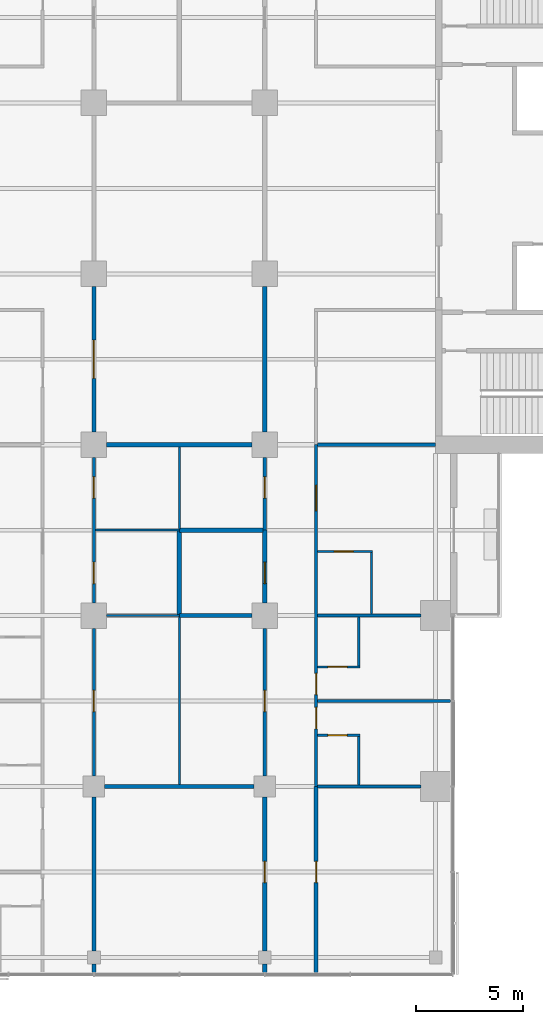
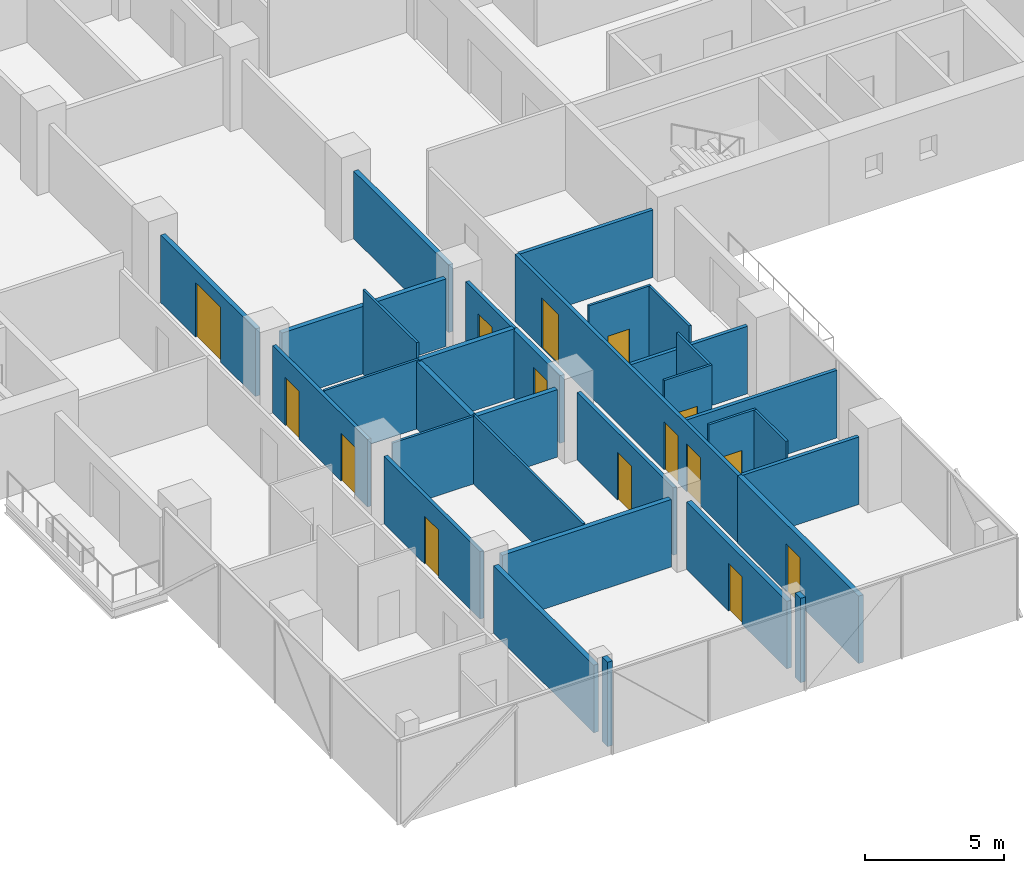
# One storey, part 16 of 27: 32 walls, 15 doors, 15 openings.
"""IFC4 building model written with IfcOpenShell, lengths in metres."""

from ifc_helpers import new_model, si_unit, direction, frame, frame_2d, origin, place, context, subcontext, project, spatial, rectangle, extrude, material, layer, layer_set, type_object, element, fill, save


model = new_model("IFC4")

# Units and contexts
model_context = context("Model", 3, precision=1e-05, world=origin(), true_north=direction((0.0, 1.0)))
body_context = subcontext(model_context, "Body", "Model", "MODEL_VIEW")
ifc_project = project(units=[si_unit("LENGTHUNIT", "METRE"), si_unit("AREAUNIT", "SQUARE_METRE"), si_unit("VOLUMEUNIT", "CUBIC_METRE"), si_unit("PLANEANGLEUNIT", "RADIAN"), si_unit("MASSUNIT", "GRAM", prefix="KILO")], contexts=[model_context])

# Site, building, storey
site_placement = place(None, origin())
site = spatial("IfcSite", under=ifc_project, at=site_placement, CompositionType="ELEMENT")
building_placement = place(site_placement, origin())
building = spatial("IfcBuilding", under=site, at=building_placement, Name="Crosswind Convention Tower", CompositionType="ELEMENT")
storey_placement = place(building_placement, frame((0.0, 0.0, 79.39990234375)))
storey = spatial("IfcBuildingStorey", under=building, at=storey_placement, Name="L14", CompositionType="ELEMENT", Elevation=79.39990234375)

# Walls
ifc_material_1 = material(Name="Concrete blockwork", Category="masonry")
ifc_layer_1 = layer(ifc_material_1, 0.199951171875)
ifc_layer_set_1 = layer_set([ifc_layer_1], Name="COMPARTMENT WALL 200")
wall_type_1 = type_object("IfcWallType", Name="COMPARTMENT WALL 200", PredefinedType="SOLIDWALL", material=ifc_layer_set_1)
wall_1_placement = place(storey_placement, frame((125.0, 80.0, 0.0), z_axis=(0.0, 0.0, 1.0), x_axis=(1.0, 0.0, 0.0)))
element("IfcWall", 1, at=wall_1_placement, inside=storey, type_object=wall_type_1, Name="Compartment Wall 12", PredefinedType="SOLIDWALL", context=body_context, shape_type="SweptSolid", body=[
    extrude(rectangle(XDim=3.39990234375, YDim=0.199951171875, at=frame_2d((1.699951171875, 0.0))), origin(), (0.0, 0.0, 1.0), 2.9599609375),
])
wall_2_placement = place(storey_placement, frame((125.0, 84.0, 0.0), z_axis=(0.0, 0.0, 1.0), x_axis=(1.0, 0.0, 0.0)))
element("IfcWall", 2, at=wall_2_placement, inside=storey, type_object=wall_type_1, Name="Compartment Wall 16", PredefinedType="SOLIDWALL", context=body_context, shape_type="SweptSolid", body=[
    extrude(rectangle(XDim=3.925048828125, YDim=0.199951171875, at=frame_2d((1.96240234375, 0.0))), origin(), (0.0, 0.0, 1.0), 3.013671875),
])
wall_3_placement = place(storey_placement, frame((125.0, 80.050048828125, 0.0), z_axis=(0.0, 0.0, 1.0), x_axis=(0.0, 1.0, 0.0)))
element("IfcWall", 3, at=wall_3_placement, inside=storey, type_object=wall_type_1, Name="Compartment Wall 91", PredefinedType="SOLIDWALL", context=body_context, shape_type="SweptSolid", body=[
    extrude(rectangle(XDim=3.89990234375, YDim=0.199951171875, at=frame_2d((1.949951171875, 0.0))), origin(), (0.0, 0.0, 1.0), 2.9599609375),
])

# Wall, opening, door
wall_4_placement = place(storey_placement, frame((129.0, 80.60009765625, 0.0), z_axis=(0.0, 0.0, 1.0), x_axis=(0.0, 1.0, 0.0)))
wall_4 = element("IfcWall", 4, at=wall_4_placement, inside=storey, type_object=wall_type_1, Name="Compartment Wall 99", PredefinedType="SOLIDWALL", context=body_context, shape_type="SweptSolid", body=[
    extrude(rectangle(XDim=3.39990234375, YDim=0.199951171875, at=frame_2d((1.699951171875, 0.0))), origin(), (0.0, 0.0, 1.0), 2.9599609375),
])
opening_1_placement = place(wall_4_placement, frame((0.89990234375, 0.0, 0.0)))
opening_1 = element("IfcOpeningElement", 5, at=opening_1_placement, cuts=wall_4, Name="Opening 14.053", PredefinedType="OPENING", context=body_context, shape_type="SweptSolid", body=[
    extrude(rectangle(XDim=1.0, YDim=2.199951171875, at=frame_2d((0.5, 1.10009765625))), frame((0.0, 0.10986328125, 0.0), z_axis=(0.0, -1.0, 0.0), x_axis=(1.0, 0.0, 0.0)), (0.0, 0.0, 1.0), 0.219970703125),
])
ifc_material_2 = material(Name="Steel fire door", Category="steel")
door_type_1 = type_object("IfcDoorType", Name="PLANT ROOM DOOR 1000X2200", OperationType="NOTDEFINED", PredefinedType="DOOR", material=ifc_material_2)
door_1_placement = place(opening_1_placement, origin())
door_1 = element("IfcDoor", 6, at=door_1_placement, inside=storey, type_object=door_type_1, Name="Door 14.053", ObjectType="D6", OperationType="SINGLE_SWING_LEFT", OverallHeight=2.199951171875, OverallWidth=1.0, PredefinedType="DOOR", context=body_context, shape_type="SweptSolid", body=[
    extrude(rectangle(XDim=1.0, YDim=2.199951171875, at=frame_2d((0.5, 1.10009765625))), frame((0.0, 0.02490234375, 0.0), z_axis=(0.0, -1.0, 0.0), x_axis=(1.0, 0.0, 0.0)), (0.0, 0.0, 1.0), 0.050048828125),
])
fill(opening_1, door_1)

ifc_material_3 = material(Name="Plasterboard partition", Category="gypsum")
ifc_layer_2 = layer(ifc_material_3, 0.14990234375)
ifc_layer_set_2 = layer_set([ifc_layer_2], Name="CORRIDOR WALL 150")
wall_type_2 = type_object("IfcWallType", Name="CORRIDOR WALL 150", PredefinedType="PARTITIONING", material=ifc_layer_set_2)
wall_5_placement = place(storey_placement, frame((121.0, 72.5, 0.0), z_axis=(0.0, 0.0, 1.0), x_axis=(0.0, 1.0, 0.0)))
wall_5 = element("IfcWall", 7, at=wall_5_placement, inside=storey, type_object=wall_type_2, Name="Corridor Wall 81", PredefinedType="PARTITIONING", context=body_context, shape_type="SweptSolid", body=[
    extrude(rectangle(XDim=6.89990234375, YDim=0.14990234375, at=frame_2d((3.449951171875, 0.0))), origin(), (0.0, 0.0, 1.0), 2.9599609375),
])
opening_2_placement = place(wall_5_placement, frame((3.0, 0.0, 0.0)))
opening_2 = element("IfcOpeningElement", 8, at=opening_2_placement, cuts=wall_5, Name="Opening 14.049", PredefinedType="OPENING", context=body_context, shape_type="SweptSolid", body=[
    extrude(rectangle(XDim=1.0, YDim=2.10009765625, at=frame_2d((0.5, 1.050048828125))), frame((0.0, 0.0849609375, 0.0), z_axis=(0.0, -1.0, 0.0), x_axis=(1.0, 0.0, 0.0)), (0.0, 0.0, 1.0), 0.169921875),
])
ifc_material_4 = material(Name="Timber fire door", Category="wood")
door_type_2 = type_object("IfcDoorType", Name="SERVICE ROOM DOOR 1000X2100", OperationType="NOTDEFINED", PredefinedType="DOOR", material=ifc_material_4)
door_2_placement = place(opening_2_placement, frame((1.0, 0.0, 0.0), z_axis=(0.0, 0.0, 1.0), x_axis=(-1.0, 0.0, 0.0)))
door_2 = element("IfcDoor", 9, at=door_2_placement, inside=storey, type_object=door_type_2, Name="Door 14.049", ObjectType="D3", OperationType="SINGLE_SWING_LEFT", OverallHeight=2.10009765625, OverallWidth=1.0, PredefinedType="DOOR", context=body_context, shape_type="SweptSolid", body=[
    extrude(rectangle(XDim=1.0, YDim=2.10009765625, at=frame_2d((0.5, 1.050048828125))), frame((0.0, 0.02490234375, 0.0), z_axis=(0.0, -1.0, 0.0), x_axis=(1.0, 0.0, 0.0)), (0.0, 0.0, 1.0), 0.050048828125),
])
fill(opening_2, door_2)

# Wall, openings, doors
wall_6_placement = place(storey_placement, frame((121.0, 80.60009765625, 0.0), z_axis=(0.0, 0.0, 1.0), x_axis=(0.0, 1.0, 0.0)))
wall_6 = element("IfcWall", 10, at=wall_6_placement, inside=storey, type_object=wall_type_2, Name="Corridor Wall 82", PredefinedType="PARTITIONING", context=body_context, shape_type="SweptSolid", body=[
    extrude(rectangle(XDim=6.7998046875, YDim=0.14990234375, at=frame_2d((3.39990234375, 0.0))), origin(), (0.0, 0.0, 1.0), 2.9599609375),
])
opening_3_placement = place(wall_6_placement, frame((0.89990234375, 0.0, 0.0)))
opening_3 = element("IfcOpeningElement", 11, at=opening_3_placement, cuts=wall_6, Name="Opening 14.051", PredefinedType="OPENING", context=body_context, shape_type="SweptSolid", body=[
    extrude(rectangle(XDim=1.0, YDim=2.10009765625, at=frame_2d((0.5, 1.050048828125))), frame((0.0, 0.0849609375, 0.0), z_axis=(0.0, -1.0, 0.0), x_axis=(1.0, 0.0, 0.0)), (0.0, 0.0, 1.0), 0.169921875),
])
opening_4_placement = place(wall_6_placement, frame((4.89990234375, 0.0, 0.0)))
opening_4 = element("IfcOpeningElement", 12, at=opening_4_placement, cuts=wall_6, Name="Opening 14.052", PredefinedType="OPENING", context=body_context, shape_type="SweptSolid", body=[
    extrude(rectangle(XDim=1.0, YDim=2.10009765625, at=frame_2d((0.5, 1.050048828125))), frame((0.0, 0.0849609375, 0.0), z_axis=(0.0, -1.0, 0.0), x_axis=(1.0, 0.0, 0.0)), (0.0, 0.0, 1.0), 0.169921875),
])
door_3_placement = place(opening_3_placement, frame((1.0, 0.0, 0.0), z_axis=(0.0, 0.0, 1.0), x_axis=(-1.0, 0.0, 0.0)))
door_3 = element("IfcDoor", 13, at=door_3_placement, inside=storey, type_object=door_type_2, Name="Door 14.051", ObjectType="D3", OperationType="SINGLE_SWING_RIGHT", OverallHeight=2.10009765625, OverallWidth=1.0, PredefinedType="DOOR", context=body_context, shape_type="SweptSolid", body=[
    extrude(rectangle(XDim=1.0, YDim=2.10009765625, at=frame_2d((0.5, 1.050048828125))), frame((0.0, 0.02490234375, 0.0), z_axis=(0.0, -1.0, 0.0), x_axis=(1.0, 0.0, 0.0)), (0.0, 0.0, 1.0), 0.050048828125),
])
fill(opening_3, door_3)
door_4_placement = place(opening_4_placement, frame((1.0, 0.0, 0.0), z_axis=(0.0, 0.0, 1.0), x_axis=(-1.0, 0.0, 0.0)))
door_4 = element("IfcDoor", 14, at=door_4_placement, inside=storey, type_object=door_type_2, Name="Door 14.052", ObjectType="D3", OperationType="SINGLE_SWING_LEFT", OverallHeight=2.10009765625, OverallWidth=1.0, PredefinedType="DOOR", context=body_context, shape_type="SweptSolid", body=[
    extrude(rectangle(XDim=1.0, YDim=2.10009765625, at=frame_2d((0.5, 1.050048828125))), frame((0.0, 0.02490234375, 0.0), z_axis=(0.0, -1.0, 0.0), x_axis=(1.0, 0.0, 0.0)), (0.0, 0.0, 1.0), 0.050048828125),
])
fill(opening_4, door_4)

# Wall, opening, door
wall_7_placement = place(storey_placement, frame((129.0, 72.5, 0.0), z_axis=(0.0, 0.0, 1.0), x_axis=(0.0, 1.0, 0.0)))
wall_7 = element("IfcWall", 15, at=wall_7_placement, inside=storey, type_object=wall_type_2, Name="Corridor Wall 98", PredefinedType="PARTITIONING", context=body_context, shape_type="SweptSolid", body=[
    extrude(rectangle(XDim=6.89990234375, YDim=0.14990234375, at=frame_2d((3.449951171875, 0.0))), origin(), (0.0, 0.0, 1.0), 2.9599609375),
])
opening_5_placement = place(wall_7_placement, frame((3.0, 0.0, 0.0)))
opening_5 = element("IfcOpeningElement", 16, at=opening_5_placement, cuts=wall_7, Name="Opening 14.050", PredefinedType="OPENING", context=body_context, shape_type="SweptSolid", body=[
    extrude(rectangle(XDim=1.0, YDim=2.10009765625, at=frame_2d((0.5, 1.050048828125))), frame((0.0, 0.0849609375, 0.0), z_axis=(0.0, -1.0, 0.0), x_axis=(1.0, 0.0, 0.0)), (0.0, 0.0, 1.0), 0.169921875),
])
door_5_placement = place(opening_5_placement, origin())
door_5 = element("IfcDoor", 17, at=door_5_placement, inside=storey, type_object=door_type_2, Name="Door 14.050", ObjectType="D3", OperationType="SINGLE_SWING_RIGHT", OverallHeight=2.10009765625, OverallWidth=1.0, PredefinedType="DOOR", context=body_context, shape_type="SweptSolid", body=[
    extrude(rectangle(XDim=1.0, YDim=2.10009765625, at=frame_2d((0.5, 1.050048828125))), frame((0.0, 0.02490234375, 0.0), z_axis=(0.0, -1.0, 0.0), x_axis=(1.0, 0.0, 0.0)), (0.0, 0.0, 1.0), 0.050048828125),
])
fill(opening_5, door_5)

wall_8_placement = place(storey_placement, frame((129.0, 84.0, 0.0), z_axis=(0.0, 0.0, 1.0), x_axis=(0.0, 1.0, 0.0)))
wall_8 = element("IfcWall", 18, at=wall_8_placement, inside=storey, type_object=wall_type_2, Name="Corridor Wall 100", PredefinedType="PARTITIONING", context=body_context, shape_type="SweptSolid", body=[
    extrude(rectangle(XDim=3.39990234375, YDim=0.14990234375, at=frame_2d((1.699951171875, 0.0))), origin(), (0.0, 0.0, 1.0), 2.9599609375),
])
opening_6_placement = place(wall_8_placement, frame((1.5, 0.0, 0.0)))
opening_6 = element("IfcOpeningElement", 19, at=opening_6_placement, cuts=wall_8, Name="Opening 14.054", PredefinedType="OPENING", context=body_context, shape_type="SweptSolid", body=[
    extrude(rectangle(XDim=1.0, YDim=2.10009765625, at=frame_2d((0.5, 1.050048828125))), frame((0.0, 0.0849609375, 0.0), z_axis=(0.0, -1.0, 0.0), x_axis=(1.0, 0.0, 0.0)), (0.0, 0.0, 1.0), 0.169921875),
])
door_6_placement = place(opening_6_placement, origin())
door_6 = element("IfcDoor", 20, at=door_6_placement, inside=storey, type_object=door_type_2, Name="Door 14.054", ObjectType="D3", OperationType="SINGLE_SWING_RIGHT", OverallHeight=2.10009765625, OverallWidth=1.0, PredefinedType="DOOR", context=body_context, shape_type="SweptSolid", body=[
    extrude(rectangle(XDim=1.0, YDim=2.10009765625, at=frame_2d((0.5, 1.050048828125))), frame((0.0, 0.02490234375, 0.0), z_axis=(0.0, -1.0, 0.0), x_axis=(1.0, 0.0, 0.0)), (0.0, 0.0, 1.0), 0.050048828125),
])
fill(opening_6, door_6)

# Walls
ifc_material_5 = material(Name="Acoustic plasterboard partition", Category="gypsum")
ifc_layer_3 = layer(ifc_material_5, 0.14990234375)
ifc_layer_set_3 = layer_set([ifc_layer_3], Name="GUEST ROOM WALL 150")
wall_type_3 = type_object("IfcWallType", Name="GUEST ROOM WALL 150", PredefinedType="PARTITIONING", material=ifc_layer_set_3)
wall_9_placement = place(storey_placement, frame((131.47509765625, 72.0, 0.0), z_axis=(0.0, 0.0, 1.0), x_axis=(1.0, 0.0, 0.0)))
element("IfcWall", 21, at=wall_9_placement, inside=storey, type_object=wall_type_3, Name="Guest Room Wall 4", PredefinedType="PARTITIONING", context=body_context, shape_type="SweptSolid", body=[
    extrude(rectangle(XDim=4.824951171875, YDim=0.14990234375, at=frame_2d((2.41259765625, 0.0))), origin(), (0.0, 0.0, 1.0), 2.9599609375),
])
wall_10_placement = place(storey_placement, frame((131.47509765625, 76.0, 0.0), z_axis=(0.0, 0.0, 1.0), x_axis=(1.0, 0.0, 0.0)))
element("IfcWall", 22, at=wall_10_placement, inside=storey, type_object=wall_type_3, Name="Guest Room Wall 8", PredefinedType="PARTITIONING", context=body_context, shape_type="SweptSolid", body=[
    extrude(rectangle(XDim=6.224853515625, YDim=0.14990234375, at=frame_2d((3.1123046875, 0.0))), origin(), (0.0, 0.0, 1.0), 2.962890625),
])
wall_11_placement = place(storey_placement, frame((131.47509765625, 80.0, 0.0), z_axis=(0.0, 0.0, 1.0), x_axis=(1.0, 0.0, 0.0)))
element("IfcWall", 23, at=wall_11_placement, inside=storey, type_object=wall_type_3, Name="Guest Room Wall 13", PredefinedType="PARTITIONING", context=body_context, shape_type="SweptSolid", body=[
    extrude(rectangle(XDim=4.824951171875, YDim=0.14990234375, at=frame_2d((2.41259765625, 0.0))), origin(), (0.0, 0.0, 1.0), 2.9599609375),
])
wall_12_placement = place(storey_placement, frame((131.47509765625, 88.0, 0.0), z_axis=(0.0, 0.0, 1.0), x_axis=(1.0, 0.0, 0.0)))
element("IfcWall", 24, at=wall_12_placement, inside=storey, type_object=wall_type_3, Name="Guest Room Wall 19", PredefinedType="PARTITIONING", context=body_context, shape_type="SweptSolid", body=[
    extrude(rectangle(XDim=5.52490234375, YDim=0.14990234375, at=frame_2d((2.762451171875, 0.0))), origin(), (0.0, 0.0, 1.0), 2.95654296875),
])

# Wall, openings, doors
wall_13_placement = place(storey_placement, frame((131.39990234375, 72.0, 0.0), z_axis=(0.0, 0.0, 1.0), x_axis=(0.0, 1.0, 0.0)))
wall_13 = element("IfcWall", 25, at=wall_13_placement, inside=storey, type_object=wall_type_3, Name="Guest Room Wall 109", PredefinedType="PARTITIONING", context=body_context, shape_type="SweptSolid", body=[
    extrude(rectangle(XDim=16.0, YDim=0.14990234375, at=frame_2d((8.0, 0.0))), origin(), (0.0, 0.0, 1.0), 2.95654296875),
])
opening_7_placement = place(wall_13_placement, frame((12.89990234375, 0.0, 0.0)))
opening_7 = element("IfcOpeningElement", 26, at=opening_7_placement, cuts=wall_13, Name="Opening 14.020", PredefinedType="OPENING", context=body_context, shape_type="SweptSolid", body=[
    extrude(rectangle(XDim=1.199951171875, YDim=2.199951171875, at=frame_2d((0.60009765625, 1.10009765625))), frame((0.0, 0.0849609375, 0.0), z_axis=(0.0, -1.0, 0.0), x_axis=(1.0, 0.0, 0.0)), (0.0, 0.0, 1.0), 0.169921875),
])
opening_8_placement = place(wall_13_placement, frame((4.300048828125, 0.0, 0.0)))
opening_8 = element("IfcOpeningElement", 27, at=opening_8_placement, cuts=wall_13, Name="Opening 14.022", PredefinedType="OPENING", context=body_context, shape_type="SweptSolid", body=[
    extrude(rectangle(XDim=1.0, YDim=2.10009765625, at=frame_2d((0.5, 1.050048828125))), frame((0.0, 0.0849609375, 0.0), z_axis=(0.0, -1.0, 0.0), x_axis=(1.0, 0.0, 0.0)), (0.0, 0.0, 1.0), 0.169921875),
])
opening_9_placement = place(wall_13_placement, frame((2.699951171875, 0.0, 0.0)))
opening_9 = element("IfcOpeningElement", 28, at=opening_9_placement, cuts=wall_13, Name="Opening 14.024", PredefinedType="OPENING", context=body_context, shape_type="SweptSolid", body=[
    extrude(rectangle(XDim=1.0, YDim=2.10009765625, at=frame_2d((0.5, 1.050048828125))), frame((0.0, 0.0849609375, 0.0), z_axis=(0.0, -1.0, 0.0), x_axis=(1.0, 0.0, 0.0)), (0.0, 0.0, 1.0), 0.169921875),
])
door_type_3 = type_object("IfcDoorType", Name="GUEST ROOM DOOR 1000X2100", OperationType="NOTDEFINED", PredefinedType="DOOR", material=ifc_material_4)
door_7_placement = place(opening_8_placement, frame((1.0, 0.0, 0.0), z_axis=(0.0, 0.0, 1.0), x_axis=(-1.0, 0.0, 0.0)))
door_7 = element("IfcDoor", 29, at=door_7_placement, inside=storey, type_object=door_type_3, Name="Door 14.022", ObjectType="D1", OperationType="SINGLE_SWING_LEFT", OverallHeight=2.10009765625, OverallWidth=1.0, PredefinedType="DOOR", context=body_context, shape_type="SweptSolid", body=[
    extrude(rectangle(XDim=1.0, YDim=2.10009765625, at=frame_2d((0.5, 1.050048828125))), frame((0.0, 0.02490234375, 0.0), z_axis=(0.0, -1.0, 0.0), x_axis=(1.0, 0.0, 0.0)), (0.0, 0.0, 1.0), 0.050048828125),
])
fill(opening_8, door_7)
door_8_placement = place(opening_9_placement, frame((1.0, 0.0, 0.0), z_axis=(0.0, 0.0, 1.0), x_axis=(-1.0, 0.0, 0.0)))
door_8 = element("IfcDoor", 30, at=door_8_placement, inside=storey, type_object=door_type_3, Name="Door 14.024", ObjectType="D1", OperationType="SINGLE_SWING_LEFT", OverallHeight=2.10009765625, OverallWidth=1.0, PredefinedType="DOOR", context=body_context, shape_type="SweptSolid", body=[
    extrude(rectangle(XDim=1.0, YDim=2.10009765625, at=frame_2d((0.5, 1.050048828125))), frame((0.0, 0.02490234375, 0.0), z_axis=(0.0, -1.0, 0.0), x_axis=(1.0, 0.0, 0.0)), (0.0, 0.0, 1.0), 0.050048828125),
])
fill(opening_9, door_8)
door_type_4 = type_object("IfcDoorType", Name="SUITE DOOR 1200X2200", OperationType="DOUBLE_DOOR_SINGLE_SWING", PredefinedType="DOOR", material=ifc_material_4)
door_9_placement = place(opening_7_placement, frame((1.199951171875, 0.0, 0.0), z_axis=(0.0, 0.0, 1.0), x_axis=(-1.0, 0.0, 0.0)))
door_9 = element("IfcDoor", 31, at=door_9_placement, inside=storey, type_object=door_type_4, Name="Door 14.020", ObjectType="D14", OperationType="DOUBLE_DOOR_SINGLE_SWING", OverallHeight=2.199951171875, OverallWidth=1.199951171875, PredefinedType="DOOR", context=body_context, shape_type="SweptSolid", body=[
    extrude(rectangle(XDim=1.199951171875, YDim=2.199951171875, at=frame_2d((0.60009765625, 1.10009765625))), frame((0.0, 0.02490234375, 0.0), z_axis=(0.0, -1.0, 0.0), x_axis=(1.0, 0.0, 0.0)), (0.0, 0.0, 1.0), 0.050048828125),
])
fill(opening_7, door_9)

# Walls
ifc_material_6 = material(Name="Double plasterboard partition", Category="gypsum")
ifc_layer_4 = layer(ifc_material_6, 0.199951171875)
ifc_layer_set_4 = layer_set([ifc_layer_4], Name="HALL WALL 200")
wall_type_4 = type_object("IfcWallType", Name="HALL WALL 200", PredefinedType="PARTITIONING", material=ifc_layer_set_4)
wall_14_placement = place(storey_placement, frame((121.5, 72.0, 0.0), z_axis=(0.0, 0.0, 1.0), x_axis=(1.0, 0.0, 0.0)))
element("IfcWall", 32, at=wall_14_placement, inside=storey, type_object=wall_type_4, Name="Hall Wall 3", PredefinedType="PARTITIONING", context=body_context, shape_type="SweptSolid", body=[
    extrude(rectangle(XDim=7.0, YDim=0.199951171875, at=frame_2d((3.5, 0.0))), origin(), (0.0, 0.0, 1.0), 2.9599609375),
])
wall_15_placement = place(storey_placement, frame((121.60009765625, 88.0, 0.0), z_axis=(0.0, 0.0, 1.0), x_axis=(1.0, 0.0, 0.0)))
element("IfcWall", 33, at=wall_15_placement, inside=storey, type_object=wall_type_4, Name="Hall Wall 18", PredefinedType="PARTITIONING", context=body_context, shape_type="SweptSolid", body=[
    extrude(rectangle(XDim=6.7998046875, YDim=0.199951171875, at=frame_2d((3.39990234375, 0.0))), origin(), (0.0, 0.0, 1.0), 2.9599609375),
])
wall_16_placement = place(storey_placement, frame((121.0, 63.300048828125, 0.0), z_axis=(0.0, 0.0, 1.0), x_axis=(0.0, 1.0, 0.0)))
element("IfcWall", 34, at=wall_16_placement, inside=storey, type_object=wall_type_4, Name="Hall Wall 79", PredefinedType="PARTITIONING", context=body_context, shape_type="SweptSolid", body=[
    extrude(rectangle(XDim=0.39990234375, YDim=0.199951171875, at=frame_2d((0.199951171875, 0.0))), origin(), (0.0, 0.0, 1.0), 3.7001953125),
])
wall_17_placement = place(storey_placement, frame((121.0, 64.300048828125, 0.0), z_axis=(0.0, 0.0, 1.0), x_axis=(0.0, 1.0, 0.0)))
element("IfcWall", 35, at=wall_17_placement, inside=storey, type_object=wall_type_4, Name="Hall Wall 80", PredefinedType="PARTITIONING", context=body_context, shape_type="SweptSolid", body=[
    extrude(rectangle(XDim=7.199951171875, YDim=0.199951171875, at=frame_2d((3.60009765625, 0.0))), origin(), (0.0, 0.0, 1.0), 2.9599609375),
])

# Wall, opening, door
wall_18_placement = place(storey_placement, frame((121.0, 88.60009765625, 0.0), z_axis=(0.0, 0.0, 1.0), x_axis=(0.0, 1.0, 0.0)))
wall_18 = element("IfcWall", 36, at=wall_18_placement, inside=storey, type_object=wall_type_4, Name="Hall Wall 83", PredefinedType="PARTITIONING", context=body_context, shape_type="SweptSolid", body=[
    extrude(rectangle(XDim=6.7998046875, YDim=0.199951171875, at=frame_2d((3.39990234375, 0.0))), origin(), (0.0, 0.0, 1.0), 2.9599609375),
])
opening_10_placement = place(wall_18_placement, frame((2.5, 0.0, 0.0)))
opening_10 = element("IfcOpeningElement", 37, at=opening_10_placement, cuts=wall_18, Name="Opening 14.055", PredefinedType="OPENING", context=body_context, shape_type="SweptSolid", body=[
    extrude(rectangle(XDim=1.800048828125, YDim=2.39990234375, at=frame_2d((0.89990234375, 1.199951171875))), frame((0.0, 0.10986328125, 0.0), z_axis=(0.0, -1.0, 0.0), x_axis=(1.0, 0.0, 0.0)), (0.0, 0.0, 1.0), 0.219970703125),
])
door_type_5 = type_object("IfcDoorType", Name="HALL DOUBLE DOOR 1800X2400", OperationType="DOUBLE_DOOR_SINGLE_SWING", PredefinedType="DOOR", material=ifc_material_4)
door_10_placement = place(opening_10_placement, origin())
door_10 = element("IfcDoor", 38, at=door_10_placement, inside=storey, type_object=door_type_5, Name="Door 14.055", ObjectType="D5", OperationType="DOUBLE_DOOR_SINGLE_SWING", OverallHeight=2.39990234375, OverallWidth=1.800048828125, PredefinedType="DOOR", context=body_context, shape_type="SweptSolid", body=[
    extrude(rectangle(XDim=1.800048828125, YDim=2.39990234375, at=frame_2d((0.89990234375, 1.199951171875))), frame((0.0, 0.02490234375, 0.0), z_axis=(0.0, -1.0, 0.0), x_axis=(1.0, 0.0, 0.0)), (0.0, 0.0, 1.0), 0.050048828125),
])
fill(opening_10, door_10)

# Wall
wall_19_placement = place(storey_placement, frame((129.0, 63.300048828125, 0.0), z_axis=(0.0, 0.0, 1.0), x_axis=(0.0, 1.0, 0.0)))
element("IfcWall", 39, at=wall_19_placement, inside=storey, type_object=wall_type_4, Name="Hall Wall 96", PredefinedType="PARTITIONING", context=body_context, shape_type="SweptSolid", body=[
    extrude(rectangle(XDim=0.39990234375, YDim=0.199951171875, at=frame_2d((0.199951171875, 0.0))), origin(), (0.0, 0.0, 1.0), 3.7001953125),
])

# Wall, opening, door
wall_20_placement = place(storey_placement, frame((129.0, 64.300048828125, 0.0), z_axis=(0.0, 0.0, 1.0), x_axis=(0.0, 1.0, 0.0)))
wall_20 = element("IfcWall", 40, at=wall_20_placement, inside=storey, type_object=wall_type_4, Name="Hall Wall 97", PredefinedType="PARTITIONING", context=body_context, shape_type="SweptSolid", body=[
    extrude(rectangle(XDim=7.199951171875, YDim=0.199951171875, at=frame_2d((3.60009765625, 0.0))), origin(), (0.0, 0.0, 1.0), 2.9599609375),
])
opening_11_placement = place(wall_20_placement, frame((3.199951171875, 0.0, 0.0)))
opening_11 = element("IfcOpeningElement", 41, at=opening_11_placement, cuts=wall_20, Name="Opening 14.048", PredefinedType="OPENING", context=body_context, shape_type="SweptSolid", body=[
    extrude(rectangle(XDim=1.0, YDim=2.10009765625, at=frame_2d((0.5, 1.050048828125))), frame((0.0, 0.10986328125, 0.0), z_axis=(0.0, -1.0, 0.0), x_axis=(1.0, 0.0, 0.0)), (0.0, 0.0, 1.0), 0.219970703125),
])
door_type_6 = type_object("IfcDoorType", Name="MEETING ROOM DOOR 1000X2100", OperationType="NOTDEFINED", PredefinedType="DOOR", material=ifc_material_4)
door_11_placement = place(opening_11_placement, frame((1.0, 0.0, 0.0), z_axis=(0.0, 0.0, 1.0), x_axis=(-1.0, 0.0, 0.0)))
door_11 = element("IfcDoor", 42, at=door_11_placement, inside=storey, type_object=door_type_6, Name="Door 14.048", ObjectType="D13", OperationType="SINGLE_SWING_LEFT", OverallHeight=2.10009765625, OverallWidth=1.0, PredefinedType="DOOR", context=body_context, shape_type="SweptSolid", body=[
    extrude(rectangle(XDim=1.0, YDim=2.10009765625, at=frame_2d((0.5, 1.050048828125))), frame((0.0, 0.02490234375, 0.0), z_axis=(0.0, -1.0, 0.0), x_axis=(1.0, 0.0, 0.0)), (0.0, 0.0, 1.0), 0.050048828125),
])
fill(opening_11, door_11)

# Wall
wall_21_placement = place(storey_placement, frame((129.0, 88.60009765625, 0.0), z_axis=(0.0, 0.0, 1.0), x_axis=(0.0, 1.0, 0.0)))
element("IfcWall", 43, at=wall_21_placement, inside=storey, type_object=wall_type_4, Name="Hall Wall 101", PredefinedType="PARTITIONING", context=body_context, shape_type="SweptSolid", body=[
    extrude(rectangle(XDim=6.7998046875, YDim=0.199951171875, at=frame_2d((3.39990234375, 0.0))), origin(), (0.0, 0.0, 1.0), 2.9599609375),
])

# Wall, opening, door
wall_22_placement = place(storey_placement, frame((131.39990234375, 63.300048828125, 0.0), z_axis=(0.0, 0.0, 1.0), x_axis=(0.0, 1.0, 0.0)))
wall_22 = element("IfcWall", 44, at=wall_22_placement, inside=storey, type_object=wall_type_4, Name="Hall Wall 108", PredefinedType="PARTITIONING", context=body_context, shape_type="SweptSolid", body=[
    extrude(rectangle(XDim=8.699951171875, YDim=0.199951171875, at=frame_2d((4.35009765625, 0.0))), origin(), (0.0, 0.0, 1.0), 2.9599609375),
])
opening_12_placement = place(wall_22_placement, frame((4.199951171875, 0.0, 0.0)))
opening_12 = element("IfcOpeningElement", 45, at=opening_12_placement, cuts=wall_22, Name="Opening 14.026", PredefinedType="OPENING", context=body_context, shape_type="SweptSolid", body=[
    extrude(rectangle(XDim=1.0, YDim=2.10009765625, at=frame_2d((0.5, 1.050048828125))), frame((0.0, 0.10986328125, 0.0), z_axis=(0.0, -1.0, 0.0), x_axis=(1.0, 0.0, 0.0)), (0.0, 0.0, 1.0), 0.219970703125),
])
door_12_placement = place(opening_12_placement, frame((1.0, 0.0, 0.0), z_axis=(0.0, 0.0, 1.0), x_axis=(-1.0, 0.0, 0.0)))
door_12 = element("IfcDoor", 46, at=door_12_placement, inside=storey, type_object=door_type_6, Name="Door 14.026", ObjectType="D13", OperationType="SINGLE_SWING_LEFT", OverallHeight=2.10009765625, OverallWidth=1.0, PredefinedType="DOOR", context=body_context, shape_type="SweptSolid", body=[
    extrude(rectangle(XDim=1.0, YDim=2.10009765625, at=frame_2d((0.5, 1.050048828125))), frame((0.0, 0.02490234375, 0.0), z_axis=(0.0, -1.0, 0.0), x_axis=(1.0, 0.0, 0.0)), (0.0, 0.0, 1.0), 0.050048828125),
])
fill(opening_12, door_12)

# Walls
ifc_layer_5 = layer(ifc_material_3, 0.10009765625)
ifc_layer_set_5 = layer_set([ifc_layer_5], Name="PARTITION 100")
wall_type_5 = type_object("IfcWallType", Name="PARTITION 100", PredefinedType="PARTITIONING", material=ifc_layer_set_5)
wall_23_placement = place(storey_placement, frame((121.60009765625, 80.0, 0.0), z_axis=(0.0, 0.0, 1.0), x_axis=(1.0, 0.0, 0.0)))
element("IfcWall", 47, at=wall_23_placement, inside=storey, type_object=wall_type_5, Name="Partition 11", PredefinedType="PARTITIONING", context=body_context, shape_type="SweptSolid", body=[
    extrude(rectangle(XDim=3.39990234375, YDim=0.10009765625, at=frame_2d((1.699951171875, 0.0))), origin(), (0.0, 0.0, 1.0), 2.9599609375),
])
wall_24_placement = place(storey_placement, frame((121.074951171875, 84.0, 0.0), z_axis=(0.0, 0.0, 1.0), x_axis=(1.0, 0.0, 0.0)))
element("IfcWall", 48, at=wall_24_placement, inside=storey, type_object=wall_type_5, Name="Partition 15", PredefinedType="PARTITIONING", context=body_context, shape_type="SweptSolid", body=[
    extrude(rectangle(XDim=3.925048828125, YDim=0.10009765625, at=frame_2d((1.96240234375, 0.0))), origin(), (0.0, 0.0, 1.0), 3.013671875),
])
wall_25_placement = place(storey_placement, frame((125.0, 72.10009765625, 0.0), z_axis=(0.0, 0.0, 1.0), x_axis=(0.0, 1.0, 0.0)))
element("IfcWall", 49, at=wall_25_placement, inside=storey, type_object=wall_type_5, Name="Partition 90", PredefinedType="PARTITIONING", context=body_context, shape_type="SweptSolid", body=[
    extrude(rectangle(XDim=7.849853515625, YDim=0.10009765625, at=frame_2d((3.9248046875, 0.0))), origin(), (0.0, 0.0, 1.0), 3.013671875),
])
wall_26_placement = place(storey_placement, frame((125.0, 84.050048828125, 0.0), z_axis=(0.0, 0.0, 1.0), x_axis=(0.0, 1.0, 0.0)))
element("IfcWall", 50, at=wall_26_placement, inside=storey, type_object=wall_type_5, Name="Partition 92", PredefinedType="PARTITIONING", context=body_context, shape_type="SweptSolid", body=[
    extrude(rectangle(XDim=3.849853515625, YDim=0.10009765625, at=frame_2d((1.9248046875, 0.0))), origin(), (0.0, 0.0, 1.0), 3.7001953125),
])

# Wall, opening, door
ifc_material_7 = material(Name="Water-resistant plasterboard partition", Category="gypsum")
ifc_layer_6 = layer(ifc_material_7, 0.10009765625)
ifc_layer_set_6 = layer_set([ifc_layer_6], Name="WET ROOM PARTITION 100")
wall_type_6 = type_object("IfcWallType", Name="WET ROOM PARTITION 100", PredefinedType="PLUMBINGWALL", material=ifc_layer_set_6)
wall_27_placement = place(storey_placement, frame((131.47509765625, 74.39990234375, 0.0), z_axis=(0.0, 0.0, 1.0), x_axis=(1.0, 0.0, 0.0)))
wall_27 = element("IfcWall", 51, at=wall_27_placement, inside=storey, type_object=wall_type_6, Name="Wet Room Partition 6", PredefinedType="PLUMBINGWALL", context=body_context, shape_type="SweptSolid", body=[
    extrude(rectangle(XDim=1.974853515625, YDim=0.10009765625, at=frame_2d((0.9873046875, 0.0))), origin(), (0.0, 0.0, 1.0), 3.7001953125),
])
opening_13_placement = place(wall_27_placement, frame((0.47509765625, 0.0, 0.0)))
opening_13 = element("IfcOpeningElement", 52, at=opening_13_placement, cuts=wall_27, Name="Opening 14.025", PredefinedType="OPENING", context=body_context, shape_type="SweptSolid", body=[
    extrude(rectangle(XDim=0.89990234375, YDim=2.10009765625, at=frame_2d((0.449951171875, 1.050048828125))), frame((0.0, 0.06005859375, 0.0), z_axis=(0.0, -1.0, 0.0), x_axis=(1.0, 0.0, 0.0)), (0.0, 0.0, 1.0), 0.1201171875),
])
ifc_material_8 = material(Name="Timber door", Category="wood")
door_type_7 = type_object("IfcDoorType", Name="EN-SUITE DOOR 900X2100", OperationType="NOTDEFINED", PredefinedType="DOOR", material=ifc_material_8)
door_13_placement = place(opening_13_placement, frame((0.89990234375, 0.0, 0.0), z_axis=(0.0, 0.0, 1.0), x_axis=(-1.0, 0.0, 0.0)))
door_13 = element("IfcDoor", 53, at=door_13_placement, inside=storey, type_object=door_type_7, Name="Door 14.025", ObjectType="D2", OperationType="SINGLE_SWING_LEFT", OverallHeight=2.10009765625, OverallWidth=0.89990234375, PredefinedType="DOOR", context=body_context, shape_type="SweptSolid", body=[
    extrude(rectangle(XDim=0.89990234375, YDim=2.10009765625, at=frame_2d((0.449951171875, 1.050048828125))), frame((0.0, 0.02490234375, 0.0), z_axis=(0.0, -1.0, 0.0), x_axis=(1.0, 0.0, 0.0)), (0.0, 0.0, 1.0), 0.050048828125),
])
fill(opening_13, door_13)

wall_28_placement = place(storey_placement, frame((131.47509765625, 77.60009765625, 0.0), z_axis=(0.0, 0.0, 1.0), x_axis=(1.0, 0.0, 0.0)))
wall_28 = element("IfcWall", 54, at=wall_28_placement, inside=storey, type_object=wall_type_6, Name="Wet Room Partition 9", PredefinedType="PLUMBINGWALL", context=body_context, shape_type="SweptSolid", body=[
    extrude(rectangle(XDim=1.974853515625, YDim=0.10009765625, at=frame_2d((0.9873046875, 0.0))), origin(), (0.0, 0.0, 1.0), 3.7001953125),
])
opening_14_placement = place(wall_28_placement, frame((0.47509765625, 0.0, 0.0)))
opening_14 = element("IfcOpeningElement", 55, at=opening_14_placement, cuts=wall_28, Name="Opening 14.023", PredefinedType="OPENING", context=body_context, shape_type="SweptSolid", body=[
    extrude(rectangle(XDim=0.89990234375, YDim=2.10009765625, at=frame_2d((0.449951171875, 1.050048828125))), frame((0.0, 0.06005859375, 0.0), z_axis=(0.0, -1.0, 0.0), x_axis=(1.0, 0.0, 0.0)), (0.0, 0.0, 1.0), 0.1201171875),
])
door_14_placement = place(opening_14_placement, origin())
door_14 = element("IfcDoor", 56, at=door_14_placement, inside=storey, type_object=door_type_7, Name="Door 14.023", ObjectType="D2", OperationType="SINGLE_SWING_RIGHT", OverallHeight=2.10009765625, OverallWidth=0.89990234375, PredefinedType="DOOR", context=body_context, shape_type="SweptSolid", body=[
    extrude(rectangle(XDim=0.89990234375, YDim=2.10009765625, at=frame_2d((0.449951171875, 1.050048828125))), frame((0.0, 0.02490234375, 0.0), z_axis=(0.0, -1.0, 0.0), x_axis=(1.0, 0.0, 0.0)), (0.0, 0.0, 1.0), 0.050048828125),
])
fill(opening_14, door_14)

wall_29_placement = place(storey_placement, frame((131.47509765625, 83.0, 0.0), z_axis=(0.0, 0.0, 1.0), x_axis=(1.0, 0.0, 0.0)))
wall_29 = element("IfcWall", 57, at=wall_29_placement, inside=storey, type_object=wall_type_6, Name="Wet Room Partition 14", PredefinedType="PLUMBINGWALL", context=body_context, shape_type="SweptSolid", body=[
    extrude(rectangle(XDim=2.574951171875, YDim=0.10009765625, at=frame_2d((1.28759765625, 0.0))), origin(), (0.0, 0.0, 1.0), 3.7001953125),
])
opening_15_placement = place(wall_29_placement, frame((0.77490234375, 0.0, 0.0)))
opening_15 = element("IfcOpeningElement", 58, at=opening_15_placement, cuts=wall_29, Name="Opening 14.021", PredefinedType="OPENING", context=body_context, shape_type="SweptSolid", body=[
    extrude(rectangle(XDim=0.89990234375, YDim=2.10009765625, at=frame_2d((0.449951171875, 1.050048828125))), frame((0.0, 0.06005859375, 0.0), z_axis=(0.0, -1.0, 0.0), x_axis=(1.0, 0.0, 0.0)), (0.0, 0.0, 1.0), 0.1201171875),
])
door_15_placement = place(opening_15_placement, frame((0.89990234375, 0.0, 0.0), z_axis=(0.0, 0.0, 1.0), x_axis=(-1.0, 0.0, 0.0)))
door_15 = element("IfcDoor", 59, at=door_15_placement, inside=storey, type_object=door_type_7, Name="Door 14.021", ObjectType="D2", OperationType="SINGLE_SWING_LEFT", OverallHeight=2.10009765625, OverallWidth=0.89990234375, PredefinedType="DOOR", context=body_context, shape_type="SweptSolid", body=[
    extrude(rectangle(XDim=0.89990234375, YDim=2.10009765625, at=frame_2d((0.449951171875, 1.050048828125))), frame((0.0, 0.02490234375, 0.0), z_axis=(0.0, -1.0, 0.0), x_axis=(1.0, 0.0, 0.0)), (0.0, 0.0, 1.0), 0.050048828125),
])
fill(opening_15, door_15)

# Walls
for number, where, z_axis, x_axis, name in (
    (60, (133.39990234375, 72.074951171875, 0.0), (0.0, 0.0, 1.0), (0.0, 1.0, 0.0), "Wet Room Partition 113"),
    (61, (133.39990234375, 77.64990234375, 0.0), (0.0, 0.0, 1.0), (0.0, 1.0, 0.0), "Wet Room Partition 114"),
):
    element("IfcWall", number, at=place(storey_placement, frame(where, z_axis=z_axis, x_axis=x_axis)), inside=storey, type_object=wall_type_6, Name=name, PredefinedType="PLUMBINGWALL", context=body_context, shape_type="SweptSolid", body=[
        extrude(rectangle(XDim=2.275146484375, YDim=0.10009765625, at=frame_2d((1.1376953125, 0.0))), origin(), (0.0, 0.0, 1.0), 3.7001953125),
    ])
wall_30_placement = place(storey_placement, frame((134.0, 80.074951171875, 0.0), z_axis=(0.0, 0.0, 1.0), x_axis=(0.0, 1.0, 0.0)))
element("IfcWall", 62, at=wall_30_placement, inside=storey, type_object=wall_type_6, Name="Wet Room Partition 118", PredefinedType="PLUMBINGWALL", context=body_context, shape_type="SweptSolid", body=[
    extrude(rectangle(XDim=2.875, YDim=0.10009765625, at=frame_2d((1.4375, 0.0))), origin(), (0.0, 0.0, 1.0), 3.7001953125),
])

save(model, "model.ifc")
